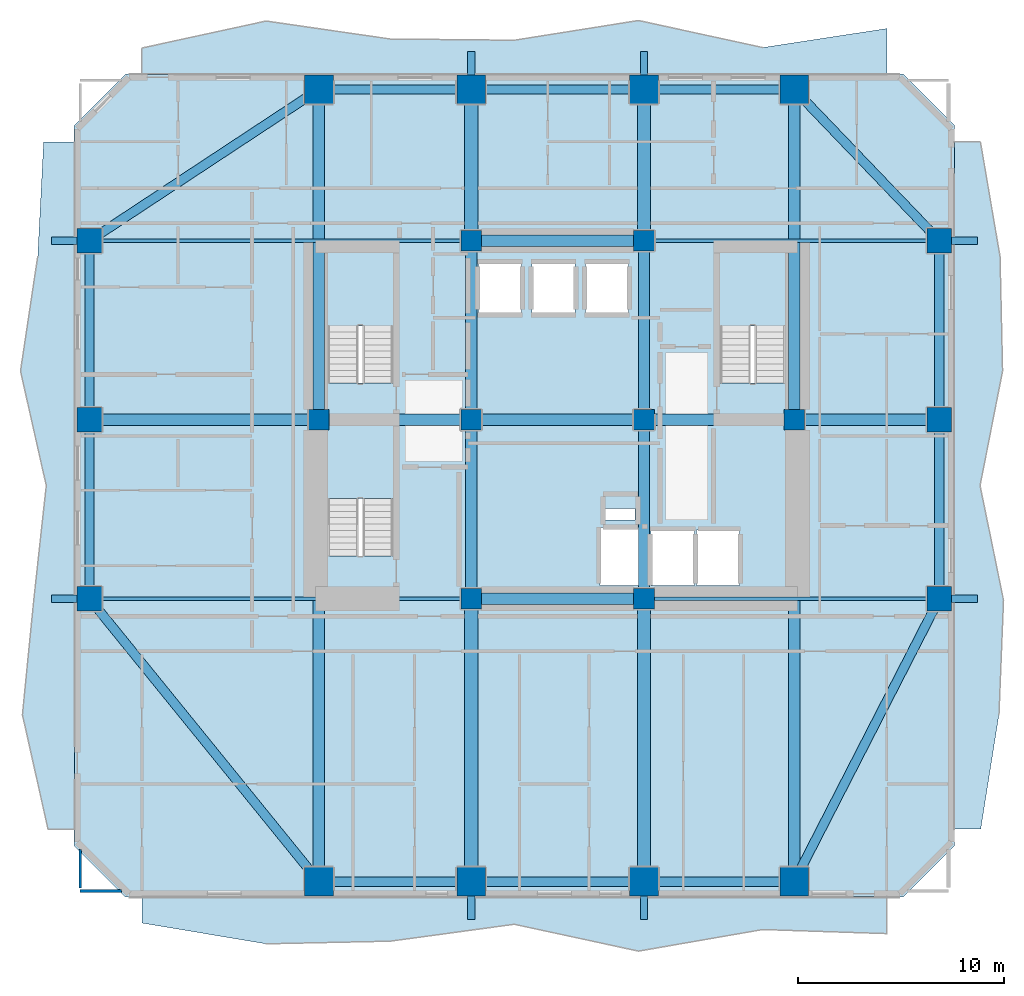
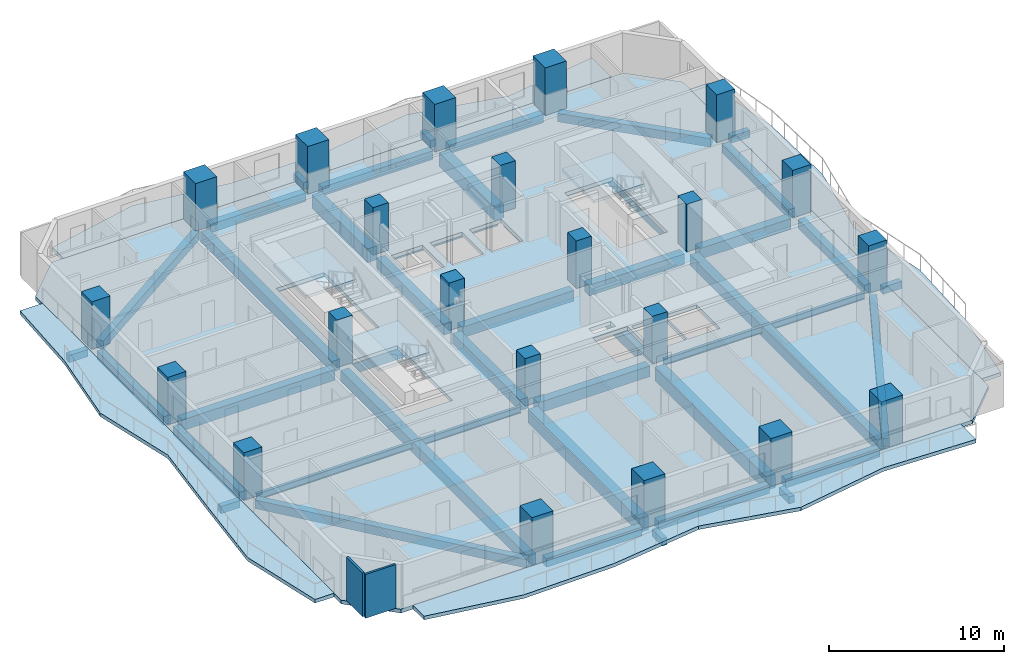
# One storey, part 1 of 11: 45 beams, 22 columns, 8 slabs, 2 walls, 3 elements without a shape of their own.
"""IFC4 building model written with IfcOpenShell, lengths in metres."""

from ifc_helpers import new_model, si_unit, direction, frame, frame_2d, origin, origin_2d, place, context, subcontext, project, spatial, polyline, rectangle, i_section, outline, extrude, material, layer, layer_set, material_profile, profile_set, type_object, element, aggregate, save


model = new_model("IFC4")

# Units and contexts
model_context = context("Model", 3, precision=1e-05, world=origin(), true_north=direction((0.0, 1.0)))
body_context = subcontext(model_context, "Body", "Model", "MODEL_VIEW")
ifc_project = project(units=[si_unit("LENGTHUNIT", "METRE"), si_unit("AREAUNIT", "SQUARE_METRE"), si_unit("VOLUMEUNIT", "CUBIC_METRE"), si_unit("PLANEANGLEUNIT", "RADIAN"), si_unit("MASSUNIT", "GRAM", prefix="KILO")], contexts=[model_context])

# Site, building, storey
site_placement = place(None, origin())
site = spatial("IfcSite", under=ifc_project, at=site_placement, CompositionType="ELEMENT")
building_placement = place(site_placement, origin())
building = spatial("IfcBuilding", under=site, at=building_placement, Name="Solanera Arch Residences", CompositionType="ELEMENT")
storey_placement = place(building_placement, frame((0.0, 0.0, 25.320068359375)))
storey = spatial("IfcBuildingStorey", under=building, at=storey_placement, Name="L06", CompositionType="ELEMENT", Elevation=25.320068359375)

# Columns
ifc_material_1 = material(Name="Concrete C55/67 (f'c = 60 MPa)", Category="concrete")
ifc_material_profile_1 = material_profile(ifc_material_1, rectangle(XDim=1.0, YDim=1.0, at=origin_2d()))
ifc_profile_set_1 = profile_set([ifc_material_profile_1], Name="Concrete C55/67 (f'c = 60 MPa)")
column_type_1 = type_object("IfcColumnType", Name="Structural Column RC-COL-1000X1000", PredefinedType="COLUMN", material=ifc_profile_set_1)
for number, where, z_axis, x_axis, name in (
    (1, (20.800048828125, 22.0, 0.0), (0.0, 0.0, 1.0), (1.0, 0.0, 0.0), "COL-L06-CB-SW"),
    (2, (29.199951171875, 22.0, 0.0), (0.0, 0.0, 1.0), (1.0, 0.0, 0.0), "COL-L06-CB-SE"),
    (3, (20.800048828125, 39.39990234375, 0.0), (0.0, 0.0, 1.0), (1.0, 0.0, 0.0), "COL-L06-CB-NW"),
    (4, (29.199951171875, 39.39990234375, 0.0), (0.0, 0.0, 1.0), (1.0, 0.0, 0.0), "COL-L06-CB-NE"),
    (5, (13.39990234375, 30.699951171875, 0.0), (0.0, 0.0, 1.0), (1.0, 0.0, 0.0), "COL-L06-CB-WW"),
    (6, (36.5, 30.699951171875, 0.0), (0.0, 0.0, 1.0), (1.0, 0.0, 0.0), "COL-L06-CB-EE"),
    (7, (20.800048828125, 30.699951171875, 0.0), (0.0, 0.0, 1.0), (1.0, 0.0, 0.0), "COL-L06-CORE-W"),
    (8, (29.199951171875, 30.699951171875, 0.0), (0.0, 0.0, 1.0), (1.0, 0.0, 0.0), "COL-L06-CORE-E"),
):
    element("IfcColumn", number, at=place(storey_placement, frame(where, z_axis=z_axis, x_axis=x_axis)), inside=storey, type_object=column_type_1, Name=name, PredefinedType="COLUMN", context=body_context, shape_type="SweptSolid", body=[
        extrude(rectangle(XDim=1.0, YDim=1.0, at=origin_2d()), origin(), (0.0, 0.0, 1.0), 3.31982421875),
    ])
ifc_material_2 = material(Name="Concrete C55/67 (f'c = 60 MPa)", Category="concrete")
ifc_material_profile_2 = material_profile(ifc_material_2, rectangle(XDim=1.199951171875, YDim=1.199951171875, at=origin_2d()))
ifc_profile_set_2 = profile_set([ifc_material_profile_2], Name="Concrete C55/67 (f'c = 60 MPa)")
column_type_2 = type_object("IfcColumnType", Name="Structural Column RC-COL-1200X1200", PredefinedType="COLUMN", material=ifc_profile_set_2)
for number, where, z_axis, x_axis, name in (
    (9, (2.25, 22.0, 0.0), (0.0, 0.0, 1.0), (1.0, 0.0, 0.0), "COL-L06-TWR-09"),
    (10, (43.550048828125, 22.0, 0.0), (0.0, 0.0, 1.0), (1.0, 0.0, 0.0), "COL-L06-TWR-10"),
    (11, (2.25, 30.699951171875, 0.0), (0.0, 0.0, 1.0), (1.0, 0.0, 0.0), "COL-L06-TWR-11"),
    (12, (43.550048828125, 30.699951171875, 0.0), (0.0, 0.0, 1.0), (1.0, 0.0, 0.0), "COL-L06-TWR-12"),
    (13, (2.25, 39.39990234375, 0.0), (0.0, 0.0, 1.0), (1.0, 0.0, 0.0), "COL-L06-TWR-13"),
    (14, (43.550048828125, 39.39990234375, 0.0), (0.0, 0.0, 1.0), (1.0, 0.0, 0.0), "COL-L06-TWR-14"),
):
    element("IfcColumn", number, at=place(storey_placement, frame(where, z_axis=z_axis, x_axis=x_axis)), inside=storey, type_object=column_type_2, Name=name, PredefinedType="COLUMN", context=body_context, shape_type="SweptSolid", body=[
        extrude(rectangle(XDim=1.199951171875, YDim=1.199951171875, at=origin_2d()), origin(), (0.0, 0.0, 1.0), 3.31982421875),
    ])
ifc_material_3 = material(Name="Concrete C55/67 (f'c = 60 MPa)", Category="concrete")
ifc_material_profile_3 = material_profile(ifc_material_3, rectangle(XDim=1.39990234375, YDim=1.39990234375, at=origin_2d()))
ifc_profile_set_3 = profile_set([ifc_material_profile_3], Name="Concrete C55/67 (f'c = 60 MPa)")
column_type_3 = type_object("IfcColumnType", Name="Structural Column RC-COL-1400X1400", PredefinedType="COLUMN", material=ifc_profile_set_3)
for number, where, z_axis, x_axis, name in (
    (15, (13.39990234375, 8.25, 0.0), (0.0, 0.0, 1.0), (1.0, 0.0, 0.0), "COL-L06-TWR-01"),
    (16, (13.39990234375, 46.75, 0.0), (0.0, 0.0, 1.0), (1.0, 0.0, 0.0), "COL-L06-TWR-02"),
    (17, (20.800048828125, 8.25, 0.0), (0.0, 0.0, 1.0), (1.0, 0.0, 0.0), "COL-L06-TWR-03"),
    (18, (20.800048828125, 46.75, 0.0), (0.0, 0.0, 1.0), (1.0, 0.0, 0.0), "COL-L06-TWR-04"),
    (19, (29.199951171875, 8.25, 0.0), (0.0, 0.0, 1.0), (1.0, 0.0, 0.0), "COL-L06-TWR-05"),
    (20, (29.199951171875, 46.75, 0.0), (0.0, 0.0, 1.0), (1.0, 0.0, 0.0), "COL-L06-TWR-06"),
    (21, (36.5, 8.25, 0.0), (0.0, 0.0, 1.0), (1.0, 0.0, 0.0), "COL-L06-TWR-07"),
    (22, (36.5, 46.75, 0.0), (0.0, 0.0, 1.0), (1.0, 0.0, 0.0), "COL-L06-TWR-08"),
):
    element("IfcColumn", number, at=place(storey_placement, frame(where, z_axis=z_axis, x_axis=x_axis)), inside=storey, type_object=column_type_3, Name=name, PredefinedType="COLUMN", context=body_context, shape_type="SweptSolid", body=[
        extrude(rectangle(XDim=1.39990234375, YDim=1.39990234375, at=origin_2d()), origin(), (0.0, 0.0, 1.0), 3.31982421875),
    ])

# Beams
ifc_material_4 = material(Name="Concrete C40/50 (f'c = 45 MPa)", Category="concrete")
ifc_material_profile_4 = material_profile(ifc_material_4, rectangle(XDim=0.35009765625, YDim=0.5, at=origin_2d()))
ifc_profile_set_4 = profile_set([ifc_material_profile_4], Name="Concrete C40/50 (f'c = 45 MPa)")
beam_type_1 = type_object("IfcBeamType", Name="BM-BALC-RIB", PredefinedType="BEAM", material=ifc_profile_set_4)
for number, where, z_axis, x_axis, name in (
    (23, (20.800048828125, 6.39990234375, -0.5), (0.0, 1.0, 0.0), (-1.0, 0.0, 0.0), "BM-L06-BRIB-S1"),
    (24, (29.199951171875, 6.39990234375, -0.5), (0.0, 1.0, 0.0), (-1.0, 0.0, 0.0), "BM-L06-BRIB-S2"),
    (25, (20.800048828125, 47.449951171875, -0.5), (0.0, 1.0, 0.0), (-1.0, 0.0, 0.0), "BM-L06-BRIB-N1"),
    (26, (29.199951171875, 47.449951171875, -0.5), (0.0, 1.0, 0.0), (-1.0, 0.0, 0.0), "BM-L06-BRIB-N2"),
):
    element("IfcBeam", number, at=place(storey_placement, frame(where, z_axis=z_axis, x_axis=x_axis)), inside=storey, type_object=beam_type_1, Name=name, PredefinedType="BEAM", context=body_context, shape_type="SweptSolid", body=[
        extrude(rectangle(XDim=0.35009765625, YDim=0.5, at=origin_2d()), origin(), (0.0, 0.0, 1.0), 1.150146484375),
    ])
for number, where, z_axis, x_axis, name in (
    (27, (44.14990234375, 22.0, -0.5), (1.0, 0.0, 0.0), (0.0, 1.0, 0.0), "BM-L06-BRIB-E1"),
    (28, (44.14990234375, 39.39990234375, -0.5), (1.0, 0.0, 0.0), (0.0, 1.0, 0.0), "BM-L06-BRIB-E2"),
    (29, (0.39990234375, 22.0, -0.5), (1.0, 0.0, 0.0), (0.0, 1.0, 0.0), "BM-L06-BRIB-W1"),
    (30, (0.39990234375, 39.39990234375, -0.5), (1.0, 0.0, 0.0), (0.0, 1.0, 0.0), "BM-L06-BRIB-W2"),
):
    element("IfcBeam", number, at=place(storey_placement, frame(where, z_axis=z_axis, x_axis=x_axis)), inside=storey, type_object=beam_type_1, Name=name, PredefinedType="BEAM", context=body_context, shape_type="SweptSolid", body=[
        extrude(rectangle(XDim=0.35009765625, YDim=0.5, at=origin_2d()), origin(), (0.0, 0.0, 1.0), 1.25),
    ])
ifc_material_5 = material(Name="Concrete C40/50 (f'c = 45 MPa)", Category="concrete")
ifc_material_profile_5 = material_profile(ifc_material_5, rectangle(XDim=0.550048828125, YDim=0.75, at=origin_2d()))
ifc_profile_set_5 = profile_set([ifc_material_profile_5], Name="Concrete C40/50 (f'c = 45 MPa)")
beam_type_2 = type_object("IfcBeamType", Name="Primary Beam RC-BM-550X750", PredefinedType="BEAM", material=ifc_profile_set_5)
beam_1_placement = place(storey_placement, frame((20.800048828125, 22.50390625, -0.635009765625), z_axis=(0.0, 1.0, 0.0), x_axis=(-1.0, 0.0, 0.0)))
element("IfcBeam", 31, at=beam_1_placement, inside=storey, type_object=beam_type_2, Name="BM-L06-CC-S-208", PredefinedType="BEAM", context=body_context, shape_type="SweptSolid", body=[
    extrude(rectangle(XDim=0.550048828125, YDim=0.75, at=origin_2d()), origin(), (0.0, 0.0, 1.0), 7.692138671875),
])
beam_2_placement = place(storey_placement, frame((20.800048828125, 31.2041015625, -0.635009765625), z_axis=(0.0, 1.0, 0.0), x_axis=(-1.0, 0.0, 0.0)))
element("IfcBeam", 32, at=beam_2_placement, inside=storey, type_object=beam_type_2, Name="BM-L06-CC-N-208", PredefinedType="BEAM", context=body_context, shape_type="SweptSolid", body=[
    extrude(rectangle(XDim=0.550048828125, YDim=0.75, at=origin_2d()), origin(), (0.0, 0.0, 1.0), 7.69189453125),
])
beam_3_placement = place(storey_placement, frame((29.199951171875, 22.50390625, -0.635009765625), z_axis=(0.0, 1.0, 0.0), x_axis=(-1.0, 0.0, 0.0)))
element("IfcBeam", 33, at=beam_3_placement, inside=storey, type_object=beam_type_2, Name="BM-L06-CC-S-292", PredefinedType="BEAM", context=body_context, shape_type="SweptSolid", body=[
    extrude(rectangle(XDim=0.550048828125, YDim=0.75, at=origin_2d()), origin(), (0.0, 0.0, 1.0), 7.692138671875),
])
beam_4_placement = place(storey_placement, frame((29.199951171875, 31.2041015625, -0.635009765625), z_axis=(0.0, 1.0, 0.0), x_axis=(-1.0, 0.0, 0.0)))
element("IfcBeam", 34, at=beam_4_placement, inside=storey, type_object=beam_type_2, Name="BM-L06-CC-N-292", PredefinedType="BEAM", context=body_context, shape_type="SweptSolid", body=[
    extrude(rectangle(XDim=0.550048828125, YDim=0.75, at=origin_2d()), origin(), (0.0, 0.0, 1.0), 7.69189453125),
])
for number, where, z_axis, x_axis, name in (
    (35, (21.303955078125, 22.0, -0.635009765625), (1.0, 0.0, 0.0), (0.0, 1.0, 0.0), "BM-L06-CC-M-220"),
    (36, (21.303955078125, 30.699951171875, -0.635009765625), (1.0, 0.0, 0.0), (0.0, 1.0, 0.0), "BM-L06-CC-M-307"),
    (37, (21.303955078125, 39.39990234375, -0.635009765625), (1.0, 0.0, 0.0), (0.0, 1.0, 0.0), "BM-L06-CC-M-394"),
):
    element("IfcBeam", number, at=place(storey_placement, frame(where, z_axis=z_axis, x_axis=x_axis)), inside=storey, type_object=beam_type_2, Name=name, PredefinedType="BEAM", context=body_context, shape_type="SweptSolid", body=[
        extrude(rectangle(XDim=0.550048828125, YDim=0.75, at=origin_2d()), origin(), (0.0, 0.0, 1.0), 7.39208984375),
    ])
beam_5_placement = place(storey_placement, frame((13.904052734375, 30.699951171875, -0.635009765625), z_axis=(1.0, 0.0, 0.0), x_axis=(0.0, 1.0, 0.0)))
element("IfcBeam", 38, at=beam_5_placement, inside=storey, type_object=beam_type_2, Name="BM-L06-CC-W", PredefinedType="BEAM", context=body_context, shape_type="SweptSolid", body=[
    extrude(rectangle(XDim=0.550048828125, YDim=0.75, at=origin_2d()), origin(), (0.0, 0.0, 1.0), 6.391845703125),
])
beam_6_placement = place(storey_placement, frame((29.7041015625, 30.699951171875, -0.635009765625), z_axis=(1.0, 0.0, 0.0), x_axis=(0.0, 1.0, 0.0)))
element("IfcBeam", 39, at=beam_6_placement, inside=storey, type_object=beam_type_2, Name="BM-L06-CC-E", PredefinedType="BEAM", context=body_context, shape_type="SweptSolid", body=[
    extrude(rectangle(XDim=0.550048828125, YDim=0.75, at=origin_2d()), origin(), (0.0, 0.0, 1.0), 6.2919921875),
])
beam_7_placement = place(storey_placement, frame((13.39990234375, 8.7900390625, -0.635009765625), z_axis=(0.0, 1.0, 0.0), x_axis=(-1.0, 0.0, 0.0)))
element("IfcBeam", 40, at=beam_7_placement, inside=storey, type_object=beam_type_2, Name="BM-L06-RAD-OS-134", PredefinedType="BEAM", context=body_context, shape_type="SweptSolid", body=[
    extrude(rectangle(XDim=0.550048828125, YDim=0.75, at=origin_2d()), origin(), (0.0, 0.0, 1.0), 21.406005859375),
])
beam_8_placement = place(storey_placement, frame((13.39990234375, 31.2041015625, -0.635009765625), z_axis=(0.0, 1.0, 0.0), x_axis=(-1.0, 0.0, 0.0)))
element("IfcBeam", 41, at=beam_8_placement, inside=storey, type_object=beam_type_2, Name="BM-L06-RAD-ON-134", PredefinedType="BEAM", context=body_context, shape_type="SweptSolid", body=[
    extrude(rectangle(XDim=0.550048828125, YDim=0.75, at=origin_2d()), origin(), (0.0, 0.0, 1.0), 15.005859375),
])
beam_9_placement = place(storey_placement, frame((36.5, 8.7900390625, -0.635009765625), z_axis=(0.0, 1.0, 0.0), x_axis=(-1.0, 0.0, 0.0)))
element("IfcBeam", 42, at=beam_9_placement, inside=storey, type_object=beam_type_2, Name="BM-L06-RAD-OS-365", PredefinedType="BEAM", context=body_context, shape_type="SweptSolid", body=[
    extrude(rectangle(XDim=0.550048828125, YDim=0.75, at=origin_2d()), origin(), (0.0, 0.0, 1.0), 21.406005859375),
])
beam_10_placement = place(storey_placement, frame((36.5, 31.2041015625, -0.635009765625), z_axis=(0.0, 1.0, 0.0), x_axis=(-1.0, 0.0, 0.0)))
element("IfcBeam", 43, at=beam_10_placement, inside=storey, type_object=beam_type_2, Name="BM-L06-RAD-ON-365", PredefinedType="BEAM", context=body_context, shape_type="SweptSolid", body=[
    extrude(rectangle(XDim=0.550048828125, YDim=0.75, at=origin_2d()), origin(), (0.0, 0.0, 1.0), 15.005859375),
])
beam_11_placement = place(storey_placement, frame((2.7900390625, 30.699951171875, -0.635009765625), z_axis=(1.0, 0.0, 0.0), x_axis=(0.0, 1.0, 0.0)))
element("IfcBeam", 44, at=beam_11_placement, inside=storey, type_object=beam_type_2, Name="BM-L06-RAD-MW", PredefinedType="BEAM", context=body_context, shape_type="SweptSolid", body=[
    extrude(rectangle(XDim=0.550048828125, YDim=0.75, at=origin_2d()), origin(), (0.0, 0.0, 1.0), 10.10595703125),
])
beam_12_placement = place(storey_placement, frame((37.00390625, 30.699951171875, -0.635009765625), z_axis=(1.0, 0.0, 0.0), x_axis=(0.0, 1.0, 0.0)))
element("IfcBeam", 45, at=beam_12_placement, inside=storey, type_object=beam_type_2, Name="BM-L06-RAD-ME", PredefinedType="BEAM", context=body_context, shape_type="SweptSolid", body=[
    extrude(rectangle(XDim=0.550048828125, YDim=0.75, at=origin_2d()), origin(), (0.0, 0.0, 1.0), 6.006103515625),
])
ifc_material_6 = material(Name="Concrete C40/50 (f'c = 45 MPa)", Category="concrete")
ifc_material_profile_6 = material_profile(ifc_material_6, rectangle(XDim=0.64990234375, YDim=0.949951171875, at=origin_2d()))
ifc_profile_set_6 = profile_set([ifc_material_profile_6], Name="Concrete C40/50 (f'c = 45 MPa)")
beam_type_3 = type_object("IfcBeamType", Name="Primary Beam RC-BM-650X950", PredefinedType="BEAM", material=ifc_profile_set_6)
beam_13_placement = place(storey_placement, frame((20.800048828125, 8.7900390625, -0.735107421875), z_axis=(0.0, 1.0, 0.0), x_axis=(-1.0, 0.0, 0.0)))
element("IfcBeam", 46, at=beam_13_placement, inside=storey, type_object=beam_type_3, Name="BM-L06-RAD-S-208", PredefinedType="BEAM", context=body_context, shape_type="SweptSolid", body=[
    extrude(rectangle(XDim=0.64990234375, YDim=0.949951171875, at=origin_2d()), origin(), (0.0, 0.0, 1.0), 12.7060546875),
])
beam_14_placement = place(storey_placement, frame((20.800048828125, 39.904052734375, -0.735107421875), z_axis=(0.0, 1.0, 0.0), x_axis=(-1.0, 0.0, 0.0)))
element("IfcBeam", 47, at=beam_14_placement, inside=storey, type_object=beam_type_3, Name="BM-L06-RAD-N-208", PredefinedType="BEAM", context=body_context, shape_type="SweptSolid", body=[
    extrude(rectangle(XDim=0.64990234375, YDim=0.949951171875, at=origin_2d()), origin(), (0.0, 0.0, 1.0), 6.305908203125),
])
beam_15_placement = place(storey_placement, frame((29.199951171875, 8.7900390625, -0.735107421875), z_axis=(0.0, 1.0, 0.0), x_axis=(-1.0, 0.0, 0.0)))
element("IfcBeam", 48, at=beam_15_placement, inside=storey, type_object=beam_type_3, Name="BM-L06-RAD-S-292", PredefinedType="BEAM", context=body_context, shape_type="SweptSolid", body=[
    extrude(rectangle(XDim=0.64990234375, YDim=0.949951171875, at=origin_2d()), origin(), (0.0, 0.0, 1.0), 12.7060546875),
])
beam_16_placement = place(storey_placement, frame((29.199951171875, 39.904052734375, -0.735107421875), z_axis=(0.0, 1.0, 0.0), x_axis=(-1.0, 0.0, 0.0)))
element("IfcBeam", 49, at=beam_16_placement, inside=storey, type_object=beam_type_3, Name="BM-L06-RAD-N-292", PredefinedType="BEAM", context=body_context, shape_type="SweptSolid", body=[
    extrude(rectangle(XDim=0.64990234375, YDim=0.949951171875, at=origin_2d()), origin(), (0.0, 0.0, 1.0), 6.305908203125),
])
ifc_material_7 = material(Name="Steel S355 (ASTM A992 / A572 Grade 50)", Category="steel")
ifc_material_profile_7 = material_profile(ifc_material_7, i_section(OverallWidth=0.19091796875, OverallDepth=0.4599609375, WebThickness=0.010009765625, FlangeThickness=0.01611328125, at=origin_2d()))
ifc_profile_set_7 = profile_set([ifc_material_profile_7], Name="Steel S355 (ASTM A992 / A572 Grade 50)")
beam_type_4 = type_object("IfcBeamType", Name="Secondary Joist W460X82", PredefinedType="JOIST", material=ifc_profile_set_7)
beam_17_placement = place(storey_placement, frame((2.7900390625, 22.0, -0.489990234375), z_axis=(1.0, 0.0, 0.0), x_axis=(0.0, 1.0, 0.0)))
element("IfcBeam", 50, at=beam_17_placement, inside=storey, type_object=beam_type_4, Name="BM-L06-RAD-W-220", PredefinedType="JOIST", context=body_context, shape_type="SweptSolid", body=[
    extrude(i_section(OverallWidth=0.19091796875, OverallDepth=0.4599609375, WebThickness=0.010009765625, FlangeThickness=0.01611328125, at=origin_2d()), origin(), (0.0, 0.0, 1.0), 17.505859375),
])
beam_18_placement = place(storey_placement, frame((29.7041015625, 22.0, -0.489990234375), z_axis=(1.0, 0.0, 0.0), x_axis=(0.0, 1.0, 0.0)))
element("IfcBeam", 51, at=beam_18_placement, inside=storey, type_object=beam_type_4, Name="BM-L06-RAD-E-220", PredefinedType="JOIST", context=body_context, shape_type="SweptSolid", body=[
    extrude(i_section(OverallWidth=0.19091796875, OverallDepth=0.4599609375, WebThickness=0.010009765625, FlangeThickness=0.01611328125, at=origin_2d()), origin(), (0.0, 0.0, 1.0), 13.305908203125),
])
beam_19_placement = place(storey_placement, frame((2.7900390625, 39.39990234375, -0.489990234375), z_axis=(1.0, 0.0, 0.0), x_axis=(0.0, 1.0, 0.0)))
element("IfcBeam", 52, at=beam_19_placement, inside=storey, type_object=beam_type_4, Name="BM-L06-RAD-W-394", PredefinedType="JOIST", context=body_context, shape_type="SweptSolid", body=[
    extrude(i_section(OverallWidth=0.19091796875, OverallDepth=0.4599609375, WebThickness=0.010009765625, FlangeThickness=0.01611328125, at=origin_2d()), origin(), (0.0, 0.0, 1.0), 17.505859375),
])
beam_20_placement = place(storey_placement, frame((29.7041015625, 39.39990234375, -0.489990234375), z_axis=(1.0, 0.0, 0.0), x_axis=(0.0, 1.0, 0.0)))
element("IfcBeam", 53, at=beam_20_placement, inside=storey, type_object=beam_type_4, Name="BM-L06-RAD-E-394", PredefinedType="JOIST", context=body_context, shape_type="SweptSolid", body=[
    extrude(i_section(OverallWidth=0.19091796875, OverallDepth=0.4599609375, WebThickness=0.010009765625, FlangeThickness=0.01611328125, at=origin_2d()), origin(), (0.0, 0.0, 1.0), 13.305908203125),
])
ifc_material_8 = material(Name="Concrete C40/50 (f'c = 45 MPa)", Category="concrete")
ifc_material_profile_8 = material_profile(ifc_material_8, rectangle(XDim=0.449951171875, YDim=0.60009765625, at=origin_2d()))
ifc_profile_set_8 = profile_set([ifc_material_profile_8], Name="Concrete C40/50 (f'c = 45 MPa)")
beam_type_5 = type_object("IfcBeamType", Name="Spandrel Beam RC-BM-450X600", PredefinedType="SPANDREL", material=ifc_profile_set_8)
for number, where, z_axis, x_axis, name in (
    (54, (13.93994140625, 8.25, -0.56005859375), (1.0, 0.0, 0.0), (0.0, 1.0, 0.0), "BM-L06-SPN-S-1"),
    (55, (13.93994140625, 46.75, -0.56005859375), (1.0, 0.0, 0.0), (0.0, 1.0, 0.0), "BM-L06-SPN-N-1"),
):
    element("IfcBeam", number, at=place(storey_placement, frame(where, z_axis=z_axis, x_axis=x_axis)), inside=storey, type_object=beam_type_5, Name=name, PredefinedType="SPANDREL", context=body_context, shape_type="SweptSolid", body=[
        extrude(rectangle(XDim=0.449951171875, YDim=0.60009765625, at=origin_2d()), origin(), (0.0, 0.0, 1.0), 6.320068359375),
    ])
for number, where, z_axis, x_axis, name in (
    (56, (21.340087890625, 8.25, -0.56005859375), (1.0, 0.0, 0.0), (0.0, 1.0, 0.0), "BM-L06-SPN-S-2"),
    (57, (21.340087890625, 46.75, -0.56005859375), (1.0, 0.0, 0.0), (0.0, 1.0, 0.0), "BM-L06-SPN-N-2"),
):
    element("IfcBeam", number, at=place(storey_placement, frame(where, z_axis=z_axis, x_axis=x_axis)), inside=storey, type_object=beam_type_5, Name=name, PredefinedType="SPANDREL", context=body_context, shape_type="SweptSolid", body=[
        extrude(rectangle(XDim=0.449951171875, YDim=0.60009765625, at=origin_2d()), origin(), (0.0, 0.0, 1.0), 7.31982421875),
    ])
for number, where, z_axis, x_axis, name in (
    (58, (29.739990234375, 8.25, -0.56005859375), (1.0, 0.0, 0.0), (0.0, 1.0, 0.0), "BM-L06-SPN-S-3"),
    (59, (29.739990234375, 46.75, -0.56005859375), (1.0, 0.0, 0.0), (0.0, 1.0, 0.0), "BM-L06-SPN-N-3"),
):
    element("IfcBeam", number, at=place(storey_placement, frame(where, z_axis=z_axis, x_axis=x_axis)), inside=storey, type_object=beam_type_5, Name=name, PredefinedType="SPANDREL", context=body_context, shape_type="SweptSolid", body=[
        extrude(rectangle(XDim=0.449951171875, YDim=0.60009765625, at=origin_2d()), origin(), (0.0, 0.0, 1.0), 6.219970703125),
    ])
for number, where, z_axis, x_axis, name in (
    (60, (2.25, 22.5400390625, -0.56005859375), (0.0, 1.0, 0.0), (-1.0, 0.0, 0.0), "BM-L06-SPN-W-1"),
    (61, (43.550048828125, 22.5400390625, -0.56005859375), (0.0, 1.0, 0.0), (-1.0, 0.0, 0.0), "BM-L06-SPN-E-1"),
):
    element("IfcBeam", number, at=place(storey_placement, frame(where, z_axis=z_axis, x_axis=x_axis)), inside=storey, type_object=beam_type_5, Name=name, PredefinedType="SPANDREL", context=body_context, shape_type="SweptSolid", body=[
        extrude(rectangle(XDim=0.449951171875, YDim=0.60009765625, at=origin_2d()), origin(), (0.0, 0.0, 1.0), 7.619873046875),
    ])
for number, where, z_axis, x_axis, name in (
    (62, (2.25, 31.239990234375, -0.56005859375), (0.0, 1.0, 0.0), (-1.0, 0.0, 0.0), "BM-L06-SPN-W-2"),
    (63, (43.550048828125, 31.239990234375, -0.56005859375), (0.0, 1.0, 0.0), (-1.0, 0.0, 0.0), "BM-L06-SPN-E-2"),
):
    element("IfcBeam", number, at=place(storey_placement, frame(where, z_axis=z_axis, x_axis=x_axis)), inside=storey, type_object=beam_type_5, Name=name, PredefinedType="SPANDREL", context=body_context, shape_type="SweptSolid", body=[
        extrude(rectangle(XDim=0.449951171875, YDim=0.60009765625, at=origin_2d()), origin(), (0.0, 0.0, 1.0), 7.6201171875),
    ])
beam_21_placement = place(storey_placement, frame((13.06005859375, 8.6689453125, -0.56005859375), z_axis=(-0.629827104297, 0.776735359497, 0.0), x_axis=(-0.776735359497, -0.629827104297, 0.0)))
element("IfcBeam", 64, at=beam_21_placement, inside=storey, type_object=beam_type_5, Name="BM-L06-SPN-SW", PredefinedType="SPANDREL", context=body_context, shape_type="SweptSolid", body=[
    extrude(rectangle(XDim=0.449951171875, YDim=0.60009765625, at=origin_2d()), origin(), (0.0, 0.0, 1.0), 16.62353515625),
])
beam_22_placement = place(storey_placement, frame((12.948974609375, 46.452880859375, -0.56005859375), z_axis=(-0.834903365048, -0.550396557976, 0.0), x_axis=(0.550396557976, -0.834903365048, 0.0)))
element("IfcBeam", 65, at=beam_22_placement, inside=storey, type_object=beam_type_5, Name="BM-L06-SPN-NW", PredefinedType="SPANDREL", context=body_context, shape_type="SweptSolid", body=[
    extrude(rectangle(XDim=0.449951171875, YDim=0.60009765625, at=origin_2d()), origin(), (0.0, 0.0, 1.0), 12.2744140625),
])
beam_23_placement = place(storey_placement, frame((36.74609375, 8.73095703125, -0.56005859375), z_axis=(0.456309404993, 0.889821176931, 0.0), x_axis=(-0.889821176931, 0.456309404993, 0.0)))
element("IfcBeam", 66, at=beam_23_placement, inside=storey, type_object=beam_type_5, Name="BM-L06-SPN-SE", PredefinedType="SPANDREL", context=body_context, shape_type="SweptSolid", body=[
    extrude(rectangle(XDim=0.449951171875, YDim=0.60009765625, at=origin_2d()), origin(), (0.0, 0.0, 1.0), 14.37158203125),
])
beam_24_placement = place(storey_placement, frame((36.8740234375, 46.360107421875, -0.56005859375), z_axis=(0.692230884532, -0.721676106366, 0.0), x_axis=(0.721676106366, 0.692230884532, 0.0)))
element("IfcBeam", 67, at=beam_24_placement, inside=storey, type_object=beam_type_5, Name="BM-L06-SPN-NE", PredefinedType="SPANDREL", context=body_context, shape_type="SweptSolid", body=[
    extrude(rectangle(XDim=0.449951171875, YDim=0.60009765625, at=origin_2d()), origin(), (0.0, 0.0, 1.0), 9.10400390625),
])

# Slabs
ifc_material_9 = material(Name="Concrete C40/50 (f'c = 45 MPa)", Category="concrete")
ifc_layer_1 = layer(ifc_material_9, 0.25)
ifc_layer_set_1 = layer_set([ifc_layer_1], Name="Concrete C40/50 (f'c = 45 MPa)")
slab_type_1 = type_object("IfcSlabType", Name="Balcony Slab 250", PredefinedType="FLOOR", material=ifc_layer_set_1)
slab_1_placement = place(storey_placement, frame((0.0, 0.0, -0.25)))
element("IfcSlab", 68, at=slab_1_placement, inside=storey, type_object=slab_type_1, Name="L06 S Rippling Brise-Soleil Balcony Slab", PredefinedType="FLOOR", context=body_context, shape_type="SweptSolid", body=[
    extrude(outline(polyline([(4.800048828125, 6.235107421875), (10.8330078125, 5.22900390625), (16.866943359375, 5.35791015625), (22.89990234375, 6.178955078125), (28.93310546875, 4.8740234375), (34.967041015625, 5.923095703125), (41.0, 5.72607421875), (41.0, 7.52001953125), (4.800048828125, 7.52001953125), (4.800048828125, 6.235107421875)])), origin(), (0.0, 0.0, 1.0), 0.25),
])
slab_2_placement = place(storey_placement, frame((0.0, 0.0, -0.25)))
element("IfcSlab", 69, at=slab_2_placement, inside=storey, type_object=slab_type_1, Name="L06 N Rippling Brise-Soleil Balcony Slab", PredefinedType="FLOOR", context=body_context, shape_type="SweptSolid", body=[
    extrude(outline(polyline([(41.0, 49.7119140625), (34.967041015625, 48.7880859375), (28.93310546875, 50.10302734375), (22.89990234375, 49.14306640625), (16.866943359375, 49.202880859375), (10.8330078125, 50.076904296875), (4.800048828125, 48.764892578125), (4.800048828125, 47.47998046875), (41.0, 47.47998046875), (41.0, 49.7119140625)])), origin(), (0.0, 0.0, 1.0), 0.25),
])
slab_3_placement = place(storey_placement, frame((0.0, 0.0, -0.25)))
element("IfcSlab", 70, at=slab_3_placement, inside=storey, type_object=slab_type_1, Name="L06 E Rippling Brise-Soleil Balcony Slab", PredefinedType="FLOOR", context=body_context, shape_type="SweptSolid", body=[
    extrude(outline(polyline([(45.56494140625, 10.800048828125), (46.450927734375, 16.366943359375), (46.672119140625, 21.93310546875), (45.531005859375, 27.5), (46.626953125, 33.06689453125), (46.5029296875, 38.633056640625), (45.550048828125, 44.199951171875), (44.280029296875, 44.199951171875), (44.280029296875, 10.800048828125), (45.56494140625, 10.800048828125)])), origin(), (0.0, 0.0, 1.0), 0.25),
])
slab_4_placement = place(storey_placement, frame((0.0, 0.0, -0.25)))
element("IfcSlab", 71, at=slab_4_placement, inside=storey, type_object=slab_type_1, Name="L06 W Rippling Brise-Soleil Balcony Slab", PredefinedType="FLOOR", context=body_context, shape_type="SweptSolid", body=[
    extrude(outline(polyline([(0.02099609375, 44.199951171875), (-0.264892578125, 38.633056640625), (-1.10302734375, 33.06689453125), (0.14990234375, 27.5), (-0.458984375, 21.93310546875), (-1.009033203125, 16.366943359375), (0.235107421875, 10.800048828125), (1.52001953125, 10.800048828125), (1.52001953125, 44.199951171875), (0.02099609375, 44.199951171875)])), origin(), (0.0, 0.0, 1.0), 0.25),
])

# Stair, slab
ifc_material_10 = material(Name="Concrete C40/50 (f'c = 45 MPa)", Category="concrete")
stair_type = type_object("IfcStairType", Name="Tower Dogleg Exit Stair 1480", PredefinedType="HALF_TURN_STAIR", material=ifc_material_10)
stair_1_placement = place(storey_placement, origin())
stair_1 = element("IfcStair", 72, at=stair_1_placement, inside=storey, type_object=stair_type, Name="L06 Tower Core Exit Stair 1", PredefinedType="HALF_TURN_STAIR")
ifc_material_11 = material(Name="Concrete C40/50 (f'c = 45 MPa)", Category="concrete")
ifc_layer_2 = layer(ifc_material_11, 0.199951171875)
ifc_layer_set_2 = layer_set([ifc_layer_2], Name="Concrete C40/50 (f'c = 45 MPa)")
slab_type_2 = type_object("IfcSlabType", Name="Stair Half-Landing Slab 200", PredefinedType="LANDING", material=ifc_layer_set_2)
slab_5_placement = place(storey_placement, frame((0.0, 0.0, 1.4599609375)))
slab_5 = element("IfcSlab", 73, at=slab_5_placement, type_object=slab_type_2, Name="ST-T1 landing 1", PredefinedType="LANDING", context=body_context, shape_type="SweptSolid", body=[
    extrude(outline(polyline([(17.1201171875, 35.260009765625), (17.1201171875, 38.919921875), (13.719970703125, 38.919921875), (13.719970703125, 35.260009765625), (17.1201171875, 35.260009765625)])), origin(), (0.0, 0.0, 1.0), 0.199951171875),
])
aggregate(stair_1, [slab_5])

stair_2_placement = place(storey_placement, origin())
stair_2 = element("IfcStair", 74, at=stair_2_placement, inside=storey, type_object=stair_type, Name="L06 Tower Core Exit Stair 2", PredefinedType="HALF_TURN_STAIR")
slab_6_placement = place(storey_placement, frame((0.0, 0.0, 1.4599609375)))
slab_6 = element("IfcSlab", 75, at=slab_6_placement, type_object=slab_type_2, Name="ST-T2 landing 1", PredefinedType="LANDING", context=body_context, shape_type="SweptSolid", body=[
    extrude(outline(polyline([(36.179931640625, 35.260009765625), (36.179931640625, 38.919921875), (32.780029296875, 38.919921875), (32.780029296875, 35.260009765625), (36.179931640625, 35.260009765625)])), origin(), (0.0, 0.0, 1.0), 0.199951171875),
])
aggregate(stair_2, [slab_6])

stair_3_placement = place(storey_placement, origin())
stair_3 = element("IfcStair", 76, at=stair_3_placement, inside=storey, type_object=stair_type, Name="L06 Tower Core Exit Stair 3", PredefinedType="HALF_TURN_STAIR")
slab_7_placement = place(storey_placement, frame((0.0, 0.0, 1.4599609375)))
slab_7 = element("IfcSlab", 77, at=slab_7_placement, type_object=slab_type_2, Name="ST-T3 landing 1", PredefinedType="LANDING", context=body_context, shape_type="SweptSolid", body=[
    extrude(outline(polyline([(17.1201171875, 26.860107421875), (17.1201171875, 30.52001953125), (13.719970703125, 30.52001953125), (13.719970703125, 26.860107421875), (17.1201171875, 26.860107421875)])), origin(), (0.0, 0.0, 1.0), 0.199951171875),
])
aggregate(stair_3, [slab_7])

# Slab
ifc_material_12 = material(Name="Concrete C40/50 (f'c = 45 MPa)", Category="concrete")
ifc_layer_3 = layer(ifc_material_12, 0.260009765625)
ifc_layer_set_3 = layer_set([ifc_layer_3], Name="Concrete C40/50 (f'c = 45 MPa)")
slab_type_3 = type_object("IfcSlabType", Name="Suspended Floor Slab Post-Tensioned 260", PredefinedType="FLOOR", material=ifc_layer_set_3)
slab_8_placement = place(storey_placement, frame((0.0, 0.0, -0.260009765625)))
element("IfcSlab", 78, at=slab_8_placement, inside=storey, type_object=slab_type_3, Name="L06 Tower Post-Tensioned Floor Slab", PredefinedType="FLOOR", context=body_context, shape_type="SweptSolid", body=[
    extrude(outline(polyline([(4.0, 7.5), (41.800048828125, 7.5), (44.300048828125, 10.0), (44.300048828125, 45.0), (41.800048828125, 47.5), (4.0, 47.5), (1.5, 45.0), (1.5, 10.0), (4.0, 7.5)]), holes=[polyline([(13.840087890625, 32.48291015625), (13.840087890625, 38.800048828125), (17.0, 38.800048828125), (17.0, 32.48291015625), (13.840087890625, 32.48291015625)]), polyline([(32.89990234375, 32.48291015625), (32.89990234375, 38.800048828125), (36.06005859375, 38.800048828125), (36.06005859375, 32.48291015625), (32.89990234375, 32.48291015625)]), polyline([(13.840087890625, 24.0830078125), (13.840087890625, 30.39990234375), (17.0, 30.39990234375), (17.0, 24.0830078125), (13.840087890625, 24.0830078125)]), polyline([(21.14990234375, 38.35009765625), (23.25, 38.35009765625), (23.25, 35.85009765625), (21.14990234375, 35.85009765625), (21.14990234375, 38.35009765625)]), polyline([(23.75, 38.35009765625), (25.85009765625, 38.35009765625), (25.85009765625, 35.85009765625), (23.75, 35.85009765625), (23.75, 38.35009765625)]), polyline([(26.35009765625, 38.35009765625), (28.449951171875, 38.35009765625), (28.449951171875, 35.85009765625), (26.35009765625, 35.85009765625), (26.35009765625, 38.35009765625)]), polyline([(29.550048828125, 25.35009765625), (31.64990234375, 25.35009765625), (31.64990234375, 22.64990234375), (29.550048828125, 22.64990234375), (29.550048828125, 25.35009765625)]), polyline([(31.75, 25.35009765625), (33.85009765625, 25.35009765625), (33.85009765625, 22.64990234375), (31.75, 22.64990234375), (31.75, 25.35009765625)]), polyline([(27.050048828125, 25.449951171875), (29.35009765625, 25.449951171875), (29.35009765625, 22.64990234375), (27.050048828125, 22.64990234375), (27.050048828125, 25.449951171875)]), polyline([(27.340087890625, 26.3798828125), (28.760009765625, 26.3798828125), (28.760009765625, 25.820068359375), (27.340087890625, 25.820068359375), (27.340087890625, 26.3798828125)])]), origin(), (0.0, 0.0, 1.0), 0.260009765625),
])

# Walls
ifc_material_13 = material(Name="Autoclaved Aerated Concrete Blockwork", Category="masonry")
ifc_layer_4 = layer(ifc_material_13, 0.139892578125)
ifc_layer_set_4 = layer_set([ifc_layer_4], Name="Autoclaved Aerated Concrete Blockwork")
wall_type = type_object("IfcWallType", Name="Wet-Room Partition 140", PredefinedType="PARTITIONING", material=ifc_layer_set_4)
wall_1_placement = place(storey_placement, frame((1.800048828125, 7.800048828125, 0.0), z_axis=(0.0, 0.0, 1.0), x_axis=(1.0, 0.0, 0.0)))
element("IfcWall", 79, at=wall_1_placement, inside=storey, type_object=wall_type, Name="L06 Interior Partition H14 1", PredefinedType="PARTITIONING", context=body_context, shape_type="SweptSolid", body=[
    extrude(rectangle(XDim=2.0009765625, YDim=0.139892578125, at=frame_2d((1.00048828125, 0.0))), origin(), (0.0, 0.0, 1.0), 3.059814453125),
])
wall_2_placement = place(storey_placement, frame((1.800048828125, 7.947998046875, 0.0), z_axis=(0.0, 0.0, 1.0), x_axis=(0.0, 1.0, 0.0)))
element("IfcWall", 80, at=wall_2_placement, inside=storey, type_object=wall_type, Name="L06 Interior Partition V11", PredefinedType="PARTITIONING", context=body_context, shape_type="SweptSolid", body=[
    extrude(rectangle(XDim=1.85302734375, YDim=0.139892578125, at=frame_2d((0.926513671875, 0.0))), origin(), (0.0, 0.0, 1.0), 3.059814453125),
])

save(model, "model.ifc")
